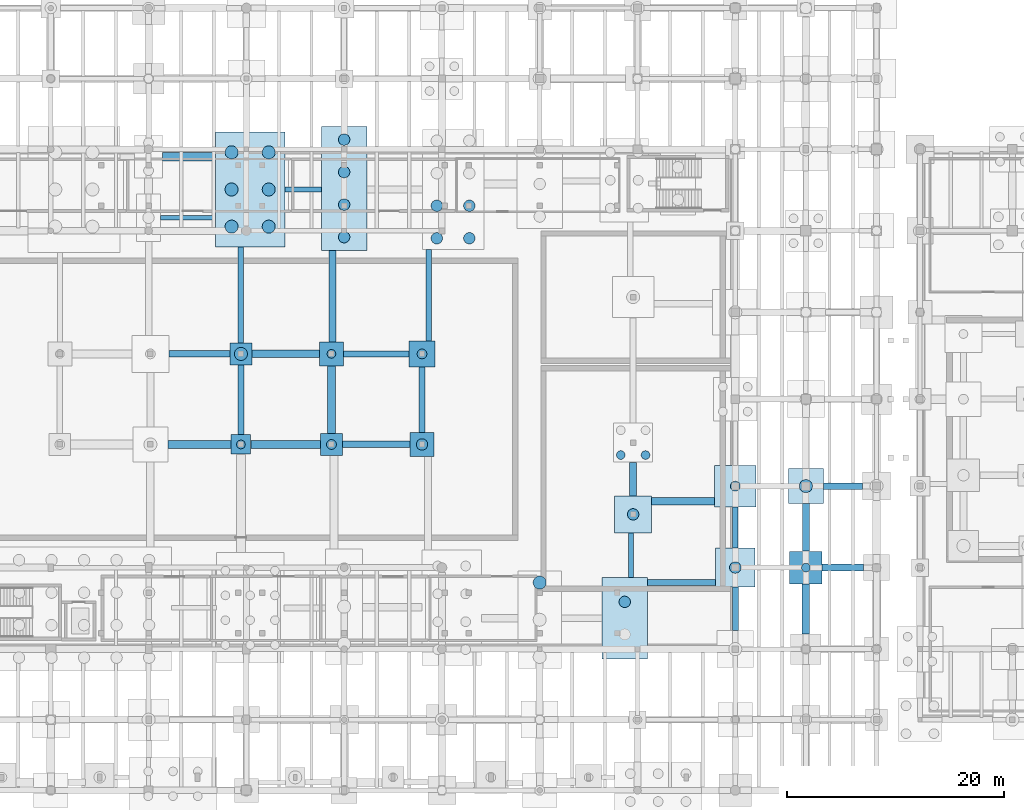
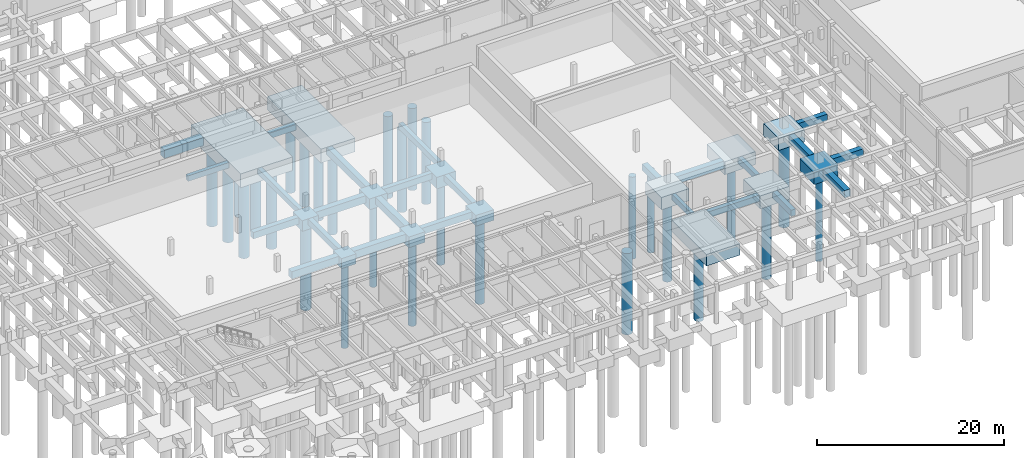
# One storey, part 5 of 36: 39 footings, 29 piles.
"""IFC4 building model written with IfcOpenShell, lengths in metres."""

from ifc_helpers import new_model, si_unit, direction, frame, origin, origin_2d, place, context, subcontext, project, spatial, polyline, circle, outline, extrude, material, material_profile, profile_set, type_object, element, save


model = new_model("IFC4")

# Units and contexts
model_context = context("Model", 3, precision=1e-05, world=origin(), true_north=direction((0.0, 1.0)))
body_context = subcontext(model_context, "Body", "Model", "MODEL_VIEW")
ifc_project = project(units=[si_unit("LENGTHUNIT", "METRE"), si_unit("AREAUNIT", "SQUARE_METRE"), si_unit("VOLUMEUNIT", "CUBIC_METRE"), si_unit("PLANEANGLEUNIT", "RADIAN"), si_unit("MASSUNIT", "GRAM", prefix="KILO"), si_unit("THERMODYNAMICTEMPERATUREUNIT", "KELVIN"), si_unit("POWERUNIT", "WATT")], contexts=[model_context])

# Site, building, storey
site_placement = place(None, origin())
site = spatial("IfcSite", under=ifc_project, at=site_placement, CompositionType="ELEMENT")
building_placement = place(site_placement, origin())
building = spatial("IfcBuilding", under=site, at=building_placement, Name="Tepalcoro Natatorium and Aquatics Centre", CompositionType="ELEMENT")
storey_placement = place(building_placement, frame((0.0, 0.0, -5.199951171875)))
storey = spatial("IfcBuildingStorey", under=building, at=storey_placement, Name="B1", CompositionType="ELEMENT", Elevation=-5.199951171875)

# Footings
ifc_material = material(Name="Concrete C40/50 (fc 40 MPa)", Category="concrete")
footing_type_1 = type_object("IfcFootingType", Name="FB_450x700", PredefinedType="FOOTING_BEAM", material=ifc_material)
footing_1_placement = place(storey_placement, frame((0.0, 0.0, -1.199951171875)))
element("IfcFooting", 1, at=footing_1_placement, inside=storey, type_object=footing_type_1, Name="V1 B1 Foundation Tie Beam X", PredefinedType="FOOTING_BEAM", context=body_context, shape_type="SweptSolid", body=[
    extrude(outline(polyline([(72.10498046875, 52.47509765625), (77.14501953125, 52.47509765625), (77.14501953125, 52.925048828125), (72.10498046875, 52.925048828125), (72.10498046875, 52.47509765625)])), origin(), (0.0, 0.0, 1.0), 0.699951171875),
])
footing_2_placement = place(storey_placement, frame((0.0, 0.0, -1.199951171875)))
element("IfcFooting", 2, at=footing_2_placement, inside=storey, type_object=footing_type_1, Name="V1 B1 Foundation Tie Beam Y", PredefinedType="FOOTING_BEAM", context=body_context, shape_type="SweptSolid", body=[
    extrude(outline(polyline([(115.625, 19.60498046875), (115.625, 23.695068359375), (115.175048828125, 23.695068359375), (115.175048828125, 19.60498046875), (115.625, 19.60498046875)])), origin(), (0.0, 0.0, 1.0), 0.699951171875),
])
footing_type_2 = type_object("IfcFootingType", Name="FB_500x750", PredefinedType="FOOTING_BEAM", material=ifc_material)
footing_3_placement = place(storey_placement, frame((0.0, 0.0, -1.25)))
element("IfcFooting", 3, at=footing_3_placement, inside=storey, type_object=footing_type_2, Name="V1 B1 Foundation Tie Beam X", PredefinedType="FOOTING_BEAM", context=body_context, shape_type="SweptSolid", body=[
    extrude(outline(polyline([(83.554931640625, 55.050048828125), (86.89501953125, 55.050048828125), (86.89501953125, 55.550048828125), (83.554931640625, 55.550048828125), (83.554931640625, 55.050048828125)])), origin(), (0.0, 0.0, 1.0), 0.75),
])
footing_4_placement = place(storey_placement, frame((0.0, 0.0, -1.25)))
element("IfcFooting", 4, at=footing_4_placement, inside=storey, type_object=footing_type_2, Name="V1 B1 Foundation Tie Beam Y", PredefinedType="FOOTING_BEAM", context=body_context, shape_type="SweptSolid", body=[
    extrude(outline(polyline([(79.75, 41.172119140625), (79.75, 49.9951171875), (79.25, 49.9951171875), (79.25, 41.172119140625), (79.75, 41.172119140625)])), origin(), (0.0, 0.0, 1.0), 0.75),
])
footing_5_placement = place(storey_placement, frame((0.0, 0.0, -1.25)))
element("IfcFooting", 5, at=footing_5_placement, inside=storey, type_object=footing_type_2, Name="V1 B1 Foundation Tie Beam Y", PredefinedType="FOOTING_BEAM", context=body_context, shape_type="SweptSolid", body=[
    extrude(outline(polyline([(97.033447265625, 41.3720703125), (97.033447265625, 49.794921875), (96.533447265625, 49.794921875), (96.533447265625, 41.3720703125), (97.033447265625, 41.3720703125)])), origin(), (0.0, 0.0, 1.0), 0.75),
])
footing_6_placement = place(storey_placement, frame((0.0, 0.0, -1.25)))
element("IfcFooting", 6, at=footing_6_placement, inside=storey, type_object=footing_type_2, Name="V1 B1 Foundation Tie Beam Y", PredefinedType="FOOTING_BEAM", context=body_context, shape_type="SweptSolid", body=[
    extrude(outline(polyline([(125.25, 22.304931640625), (125.25, 26.094970703125), (124.75, 26.094970703125), (124.75, 22.304931640625), (125.25, 22.304931640625)])), origin(), (0.0, 0.0, 1.0), 0.75),
])
footing_type_3 = type_object("IfcFootingType", Name="FB_550x800", PredefinedType="FOOTING_BEAM", material=ifc_material)
footing_7_placement = place(storey_placement, frame((0.0, 0.0, -1.300048828125)))
element("IfcFooting", 7, at=footing_7_placement, inside=storey, type_object=footing_type_3, Name="V1 B1 Foundation Tie Beam X", PredefinedType="FOOTING_BEAM", context=body_context, shape_type="SweptSolid", body=[
    extrude(outline(polyline([(88.93798828125, 39.89208984375), (94.9619140625, 39.89208984375), (94.9619140625, 40.44189453125), (88.93798828125, 40.44189453125), (88.93798828125, 39.89208984375)])), origin(), (0.0, 0.0, 1.0), 0.800048828125),
])
footing_8_placement = place(storey_placement, frame((0.0, 0.0, -1.300048828125)))
element("IfcFooting", 8, at=footing_8_placement, inside=storey, type_object=footing_type_3, Name="V1 B1 Foundation Tie Beam X", PredefinedType="FOOTING_BEAM", context=body_context, shape_type="SweptSolid", body=[
    extrude(outline(polyline([(116.905029296875, 18.875), (123.195068359375, 18.875), (123.195068359375, 19.425048828125), (116.905029296875, 19.425048828125), (116.905029296875, 18.875)])), origin(), (0.0, 0.0, 1.0), 0.800048828125),
])
footing_9_placement = place(storey_placement, frame((0.0, 0.0, -1.300048828125)))
element("IfcFooting", 9, at=footing_9_placement, inside=storey, type_object=footing_type_3, Name="V1 B1 Foundation Tie Beam Y", PredefinedType="FOOTING_BEAM", context=body_context, shape_type="SweptSolid", body=[
    extrude(outline(polyline([(79.77490234375, 32.738037109375), (79.77490234375, 39.162109375), (79.22509765625, 39.162109375), (79.22509765625, 32.738037109375), (79.77490234375, 32.738037109375)])), origin(), (0.0, 0.0, 1.0), 0.800048828125),
])
footing_10_placement = place(storey_placement, frame((0.0, 0.0, -1.300048828125)))
element("IfcFooting", 10, at=footing_10_placement, inside=storey, type_object=footing_type_3, Name="V1 B1 Foundation Tie Beam Y", PredefinedType="FOOTING_BEAM", context=body_context, shape_type="SweptSolid", body=[
    extrude(outline(polyline([(96.44189453125, 32.93798828125), (96.44189453125, 38.9619140625), (95.89208984375, 38.9619140625), (95.89208984375, 32.93798828125), (96.44189453125, 32.93798828125)])), origin(), (0.0, 0.0, 1.0), 0.800048828125),
])
footing_11_placement = place(storey_placement, frame((0.0, 0.0, -1.300048828125)))
element("IfcFooting", 11, at=footing_11_placement, inside=storey, type_object=footing_type_3, Name="V1 B1 Foundation Tie Beam Y", PredefinedType="FOOTING_BEAM", context=body_context, shape_type="SweptSolid", body=[
    extrude(outline(polyline([(125.27490234375, 14.705078125), (125.27490234375, 18.695068359375), (124.72509765625, 18.695068359375), (124.72509765625, 14.705078125), (125.27490234375, 14.705078125)])), origin(), (0.0, 0.0, 1.0), 0.800048828125),
])
footing_type_4 = type_object("IfcFootingType", Name="FB_600x850", PredefinedType="FOOTING_BEAM", material=ifc_material)
footing_12_placement = place(storey_placement, frame((0.0, 0.0, -1.35009765625)))
element("IfcFooting", 12, at=footing_12_placement, inside=storey, type_object=footing_type_4, Name="V1 B1 Foundation Tie Beam X", PredefinedType="FOOTING_BEAM", context=body_context, shape_type="SweptSolid", body=[
    extrude(outline(polyline([(72.8720703125, 39.866943359375), (78.4951171875, 39.866943359375), (78.4951171875, 40.467041015625), (72.8720703125, 40.467041015625), (72.8720703125, 39.866943359375)])), origin(), (0.0, 0.0, 1.0), 0.85009765625),
])
footing_13_placement = place(storey_placement, frame((0.0, 0.0, -1.35009765625)))
element("IfcFooting", 13, at=footing_13_placement, inside=storey, type_object=footing_type_4, Name="V1 B1 Foundation Tie Beam X", PredefinedType="FOOTING_BEAM", context=body_context, shape_type="SweptSolid", body=[
    extrude(outline(polyline([(88.837890625, 31.532958984375), (95.06201171875, 31.532958984375), (95.06201171875, 32.133056640625), (88.837890625, 32.133056640625), (88.837890625, 31.532958984375)])), origin(), (0.0, 0.0, 1.0), 0.85009765625),
])
footing_14_placement = place(storey_placement, frame((0.0, 0.0, -0.85009765625)))
element("IfcFooting", 14, at=footing_14_placement, inside=storey, type_object=footing_type_4, Name="V1 B1 Foundation Tie Beam X", PredefinedType="FOOTING_BEAM", context=body_context, shape_type="SweptSolid", body=[
    extrude(outline(polyline([(133.10498046875, 27.699951171875), (136.695068359375, 27.699951171875), (136.695068359375, 28.300048828125), (133.10498046875, 28.300048828125), (133.10498046875, 27.699951171875)])), origin(), (0.0, 0.0, 1.0), 0.85009765625),
])
footing_type_5 = type_object("IfcFootingType", Name="FB_650x900", PredefinedType="FOOTING_BEAM", material=ifc_material)
footing_15_placement = place(storey_placement, frame((0.0, 0.0, -0.900146484375)))
element("IfcFooting", 15, at=footing_15_placement, inside=storey, type_object=footing_type_5, Name="V1 B1 Foundation Tie Beam X", PredefinedType="FOOTING_BEAM", context=body_context, shape_type="SweptSolid", body=[
    extrude(outline(polyline([(133.0048828125, 20.175048828125), (136.794921875, 20.175048828125), (136.794921875, 20.824951171875), (133.0048828125, 20.824951171875), (133.0048828125, 20.175048828125)])), origin(), (0.0, 0.0, 1.0), 0.900146484375),
])
footing_16_placement = place(storey_placement, frame((0.0, 0.0, -1.400146484375)))
element("IfcFooting", 16, at=footing_16_placement, inside=storey, type_object=footing_type_5, Name="V1 B1 Foundation Tie Beam Y", PredefinedType="FOOTING_BEAM", context=body_context, shape_type="SweptSolid", body=[
    extrude(outline(polyline([(88.241455078125, 41.27197265625), (88.241455078125, 49.695068359375), (87.591552734375, 49.695068359375), (87.591552734375, 41.27197265625), (88.241455078125, 41.27197265625)])), origin(), (0.0, 0.0, 1.0), 0.900146484375),
])
footing_17_placement = place(storey_placement, frame((0.0, 0.0, -1.400146484375)))
element("IfcFooting", 17, at=footing_17_placement, inside=storey, type_object=footing_type_5, Name="V1 B1 Foundation Tie Beam Y", PredefinedType="FOOTING_BEAM", context=body_context, shape_type="SweptSolid", body=[
    extrude(outline(polyline([(115.925048828125, 27.10498046875), (115.925048828125, 30.195068359375), (115.27490234375, 30.195068359375), (115.27490234375, 27.10498046875), (115.925048828125, 27.10498046875)])), origin(), (0.0, 0.0, 1.0), 0.900146484375),
])
footing_18_placement = place(storey_placement, frame((0.0, 0.0, -0.900146484375)))
element("IfcFooting", 18, at=footing_18_placement, inside=storey, type_object=footing_type_5, Name="V1 B1 Foundation Tie Beam Y", PredefinedType="FOOTING_BEAM", context=body_context, shape_type="SweptSolid", body=[
    extrude(outline(polyline([(131.824951171875, 22.0048828125), (131.824951171875, 26.39501953125), (131.175048828125, 26.39501953125), (131.175048828125, 22.0048828125), (131.824951171875, 22.0048828125)])), origin(), (0.0, 0.0, 1.0), 0.900146484375),
])
footing_type_6 = type_object("IfcFootingType", Name="FB_700x950", PredefinedType="FOOTING_BEAM", material=ifc_material)
footing_19_placement = place(storey_placement, frame((0.0, 0.0, -1.449951171875)))
element("IfcFooting", 19, at=footing_19_placement, inside=storey, type_object=footing_type_6, Name="V1 B1 Foundation Tie Beam X", PredefinedType="FOOTING_BEAM", context=body_context, shape_type="SweptSolid", body=[
    extrude(outline(polyline([(72.77197265625, 31.48291015625), (78.594970703125, 31.48291015625), (78.594970703125, 32.18310546875), (72.77197265625, 32.18310546875), (72.77197265625, 31.48291015625)])), origin(), (0.0, 0.0, 1.0), 0.949951171875),
])
footing_20_placement = place(storey_placement, frame((0.0, 0.0, -1.449951171875)))
element("IfcFooting", 20, at=footing_20_placement, inside=storey, type_object=footing_type_6, Name="V1 B1 Foundation Tie Beam X", PredefinedType="FOOTING_BEAM", context=body_context, shape_type="SweptSolid", body=[
    extrude(outline(polyline([(80.5048828125, 39.81689453125), (86.72802734375, 39.81689453125), (86.72802734375, 40.51708984375), (80.5048828125, 40.51708984375), (80.5048828125, 39.81689453125)])), origin(), (0.0, 0.0, 1.0), 0.949951171875),
])
footing_21_placement = place(storey_placement, frame((0.0, 0.0, -1.449951171875)))
element("IfcFooting", 21, at=footing_21_placement, inside=storey, type_object=footing_type_6, Name="V1 B1 Foundation Tie Beam X", PredefinedType="FOOTING_BEAM", context=body_context, shape_type="SweptSolid", body=[
    extrude(outline(polyline([(117.304931640625, 26.25), (123.094970703125, 26.25), (123.094970703125, 26.949951171875), (117.304931640625, 26.949951171875), (117.304931640625, 26.25)])), origin(), (0.0, 0.0, 1.0), 0.949951171875),
])
footing_22_placement = place(storey_placement, frame((0.0, 0.0, -1.449951171875)))
element("IfcFooting", 22, at=footing_22_placement, inside=storey, type_object=footing_type_6, Name="V1 B1 Foundation Tie Beam Y", PredefinedType="FOOTING_BEAM", context=body_context, shape_type="SweptSolid", body=[
    extrude(outline(polyline([(88.18310546875, 32.837890625), (88.18310546875, 39.06201171875), (87.48291015625, 39.06201171875), (87.48291015625, 32.837890625), (88.18310546875, 32.837890625)])), origin(), (0.0, 0.0, 1.0), 0.949951171875),
])
footing_23_placement = place(storey_placement, frame((0.0, 0.0, -0.949951171875)))
element("IfcFooting", 23, at=footing_23_placement, inside=storey, type_object=footing_type_6, Name="V1 B1 Foundation Tie Beam Y", PredefinedType="FOOTING_BEAM", context=body_context, shape_type="SweptSolid", body=[
    extrude(outline(polyline([(131.85009765625, 14.405029296875), (131.85009765625, 18.9951171875), (131.14990234375, 18.9951171875), (131.14990234375, 14.405029296875), (131.85009765625, 14.405029296875)])), origin(), (0.0, 0.0, 1.0), 0.949951171875),
])
footing_type_7 = type_object("IfcFootingType", Name="FB_750x1000", PredefinedType="FOOTING_BEAM", material=ifc_material)
footing_24_placement = place(storey_placement, frame((0.0, 0.0, -1.5)))
element("IfcFooting", 24, at=footing_24_placement, inside=storey, type_object=footing_type_7, Name="V1 B1 Foundation Tie Beam X", PredefinedType="FOOTING_BEAM", context=body_context, shape_type="SweptSolid", body=[
    extrude(outline(polyline([(80.405029296875, 31.4580078125), (86.827880859375, 31.4580078125), (86.827880859375, 32.2080078125), (80.405029296875, 32.2080078125), (80.405029296875, 31.4580078125)])), origin(), (0.0, 0.0, 1.0), 1.0),
])
footing_type_8 = type_object("IfcFootingType", Name="FB_800x1100", PredefinedType="FOOTING_BEAM", material=ifc_material)
footing_25_placement = place(storey_placement, frame((0.0, 0.0, -1.60009765625)))
element("IfcFooting", 25, at=footing_25_placement, inside=storey, type_object=footing_type_8, Name="V1 B1 Foundation Tie Beam X", PredefinedType="FOOTING_BEAM", context=body_context, shape_type="SweptSolid", body=[
    extrude(outline(polyline([(72.304931640625, 57.925048828125), (77.14501953125, 57.925048828125), (77.14501953125, 58.72509765625), (72.304931640625, 58.72509765625), (72.304931640625, 57.925048828125)])), origin(), (0.0, 0.0, 1.0), 1.10009765625),
])
footing_type_9 = type_object("IfcFootingType", Name="PC_1800x1800x1300", PredefinedType="PILE_CAP", material=ifc_material)
footing_26_placement = place(storey_placement, frame((0.0, 0.0, -1.800048828125)))
element("IfcFooting", 26, at=footing_26_placement, inside=storey, type_object=footing_type_9, Name="V1 Reinforced Concrete Pile Cap 57", PredefinedType="PILE_CAP", context=body_context, shape_type="SweptSolid", body=[
    extrude(outline(polyline([(78.60009765625, 30.93310546875), (80.39990234375, 30.93310546875), (80.39990234375, 32.73291015625), (78.60009765625, 32.73291015625), (78.60009765625, 30.93310546875)])), origin(), (0.0, 0.0, 1.0), 1.300048828125),
])
footing_type_10 = type_object("IfcFootingType", Name="PC_2000x2000x1400", PredefinedType="PILE_CAP", material=ifc_material)
footing_27_placement = place(storey_placement, frame((0.0, 0.0, -1.900146484375)))
element("IfcFooting", 27, at=footing_27_placement, inside=storey, type_object=footing_type_10, Name="V1 Reinforced Concrete Pile Cap 56", PredefinedType="PILE_CAP", context=body_context, shape_type="SweptSolid", body=[
    extrude(outline(polyline([(78.5, 39.1669921875), (80.5, 39.1669921875), (80.5, 41.1669921875), (78.5, 41.1669921875), (78.5, 39.1669921875)])), origin(), (0.0, 0.0, 1.0), 1.400146484375),
])
footing_28_placement = place(storey_placement, frame((0.0, 0.0, -1.900146484375)))
element("IfcFooting", 28, at=footing_28_placement, inside=storey, type_object=footing_type_10, Name="V1 Reinforced Concrete Pile Cap 62", PredefinedType="PILE_CAP", context=body_context, shape_type="SweptSolid", body=[
    extrude(outline(polyline([(86.8330078125, 30.8330078125), (88.8330078125, 30.8330078125), (88.8330078125, 32.8330078125), (86.8330078125, 32.8330078125), (86.8330078125, 30.8330078125)])), origin(), (0.0, 0.0, 1.0), 1.400146484375),
])
footing_type_11 = type_object("IfcFootingType", Name="PC_2200x2200x1400", PredefinedType="PILE_CAP", material=ifc_material)
footing_29_placement = place(storey_placement, frame((0.0, 0.0, -1.900146484375)))
element("IfcFooting", 29, at=footing_29_placement, inside=storey, type_object=footing_type_11, Name="V1 Reinforced Concrete Pile Cap 61", PredefinedType="PILE_CAP", context=body_context, shape_type="SweptSolid", body=[
    extrude(outline(polyline([(86.73291015625, 39.06689453125), (88.93310546875, 39.06689453125), (88.93310546875, 41.26708984375), (86.73291015625, 41.26708984375), (86.73291015625, 39.06689453125)])), origin(), (0.0, 0.0, 1.0), 1.400146484375),
])
footing_30_placement = place(storey_placement, frame((0.0, 0.0, -1.900146484375)))
element("IfcFooting", 30, at=footing_30_placement, inside=storey, type_object=footing_type_11, Name="V1 Reinforced Concrete Pile Cap 71", PredefinedType="PILE_CAP", context=body_context, shape_type="SweptSolid", body=[
    extrude(outline(polyline([(95.06689453125, 30.73291015625), (97.26708984375, 30.73291015625), (97.26708984375, 32.93310546875), (95.06689453125, 32.93310546875), (95.06689453125, 30.73291015625)])), origin(), (0.0, 0.0, 1.0), 1.400146484375),
])
footing_type_12 = type_object("IfcFootingType", Name="PC_2400x2400x1500", PredefinedType="PILE_CAP", material=ifc_material)
footing_31_placement = place(storey_placement, frame((0.0, 0.0, -2.0)))
element("IfcFooting", 31, at=footing_31_placement, inside=storey, type_object=footing_type_12, Name="V1 Reinforced Concrete Pile Cap 70", PredefinedType="PILE_CAP", context=body_context, shape_type="SweptSolid", body=[
    extrude(outline(polyline([(94.967041015625, 38.967041015625), (97.366943359375, 38.967041015625), (97.366943359375, 41.366943359375), (94.967041015625, 41.366943359375), (94.967041015625, 38.967041015625)])), origin(), (0.0, 0.0, 1.0), 1.5),
])
footing_type_13 = type_object("IfcFootingType", Name="PC_2600x2600x1500", PredefinedType="PILE_CAP", material=ifc_material)
footing_32_placement = place(storey_placement, frame((0.0, 0.0, -2.0)))
element("IfcFooting", 32, at=footing_32_placement, inside=storey, type_object=footing_type_13, Name="V1 Reinforced Concrete Pile Cap 87", PredefinedType="PILE_CAP", context=body_context, shape_type="SweptSolid", body=[
    extrude(outline(polyline([(112.75, 12.10009765625), (116.89990234375, 12.10009765625), (116.89990234375, 19.60009765625), (112.75, 19.60009765625), (112.75, 12.10009765625)])), origin(), (0.0, 0.0, 1.0), 1.5),
])
footing_type_14 = type_object("IfcFootingType", Name="PC_3000x3000x1600", PredefinedType="PILE_CAP", material=ifc_material)
footing_33_placement = place(storey_placement, frame((0.0, 0.0, -1.60009765625)))
element("IfcFooting", 33, at=footing_33_placement, inside=storey, type_object=footing_type_14, Name="V1 Reinforced Concrete Pile Cap 113", PredefinedType="PILE_CAP", context=body_context, shape_type="SweptSolid", body=[
    extrude(outline(polyline([(130.0, 19.0), (133.0, 19.0), (133.0, 22.0), (130.0, 22.0), (130.0, 19.0)])), origin(), (0.0, 0.0, 1.0), 1.60009765625),
])
footing_type_15 = type_object("IfcFootingType", Name="PC_3200x3200x1600", PredefinedType="PILE_CAP", material=ifc_material)
footing_34_placement = place(storey_placement, frame((0.0, 0.0, -1.60009765625)))
element("IfcFooting", 34, at=footing_34_placement, inside=storey, type_object=footing_type_15, Name="V1 Reinforced Concrete Pile Cap 112", PredefinedType="PILE_CAP", context=body_context, shape_type="SweptSolid", body=[
    extrude(outline(polyline([(129.89990234375, 26.39990234375), (133.10009765625, 26.39990234375), (133.10009765625, 29.60009765625), (129.89990234375, 29.60009765625), (129.89990234375, 26.39990234375)])), origin(), (0.0, 0.0, 1.0), 1.60009765625),
])
footing_type_16 = type_object("IfcFootingType", Name="PC_3400x3400x1600", PredefinedType="PILE_CAP", material=ifc_material)
footing_35_placement = place(storey_placement, frame((0.0, 0.0, -2.10009765625)))
element("IfcFooting", 35, at=footing_35_placement, inside=storey, type_object=footing_type_16, Name="V1 Reinforced Concrete Pile Cap 91", PredefinedType="PILE_CAP", context=body_context, shape_type="SweptSolid", body=[
    extrude(outline(polyline([(113.89990234375, 23.699951171875), (117.300048828125, 23.699951171875), (117.300048828125, 27.10009765625), (113.89990234375, 27.10009765625), (113.89990234375, 23.699951171875)])), origin(), (0.0, 0.0, 1.0), 1.60009765625),
])
footing_type_17 = type_object("IfcFootingType", Name="PC_3600x3600x1700", PredefinedType="PILE_CAP", material=ifc_material)
footing_36_placement = place(storey_placement, frame((0.0, 0.0, -2.199951171875)))
element("IfcFooting", 36, at=footing_36_placement, inside=storey, type_object=footing_type_17, Name="V1 Reinforced Concrete Pile Cap 99", PredefinedType="PILE_CAP", context=body_context, shape_type="SweptSolid", body=[
    extrude(outline(polyline([(123.199951171875, 18.699951171875), (126.800048828125, 18.699951171875), (126.800048828125, 22.300048828125), (123.199951171875, 22.300048828125), (123.199951171875, 18.699951171875)])), origin(), (0.0, 0.0, 1.0), 1.699951171875),
])
footing_type_18 = type_object("IfcFootingType", Name="PC_3800x3800x1700", PredefinedType="PILE_CAP", material=ifc_material)
footing_37_placement = place(storey_placement, frame((0.0, 0.0, -2.199951171875)))
element("IfcFooting", 37, at=footing_37_placement, inside=storey, type_object=footing_type_18, Name="V1 Reinforced Concrete Pile Cap 98", PredefinedType="PILE_CAP", context=body_context, shape_type="SweptSolid", body=[
    extrude(outline(polyline([(123.10009765625, 26.10009765625), (126.89990234375, 26.10009765625), (126.89990234375, 29.89990234375), (123.10009765625, 29.89990234375), (123.10009765625, 26.10009765625)])), origin(), (0.0, 0.0, 1.0), 1.699951171875),
])
footing_type_19 = type_object("IfcFootingType", Name="PC_4000x4000x1800", PredefinedType="PILE_CAP", material=ifc_material)
footing_38_placement = place(storey_placement, frame((0.0, 0.0, -2.300048828125)))
element("IfcFooting", 38, at=footing_38_placement, inside=storey, type_object=footing_type_19, Name="V1 Reinforced Concrete Pile Cap 63", PredefinedType="PILE_CAP", context=body_context, shape_type="SweptSolid", body=[
    extrude(outline(polyline([(86.89990234375, 49.699951171875), (91.10009765625, 49.699951171875), (91.10009765625, 61.10009765625), (86.89990234375, 61.10009765625), (86.89990234375, 49.699951171875)])), origin(), (0.0, 0.0, 1.0), 1.800048828125),
])
footing_type_20 = type_object("IfcFootingType", Name="PC_4200x4200x1800", PredefinedType="PILE_CAP", material=ifc_material)
footing_39_placement = place(storey_placement, frame((0.0, 0.0, -2.300048828125)))
element("IfcFooting", 39, at=footing_39_placement, inside=storey, type_object=footing_type_20, Name="V1 Reinforced Concrete Pile Cap 52", PredefinedType="PILE_CAP", context=body_context, shape_type="SweptSolid", body=[
    extrude(outline(polyline([(77.14990234375, 50.0), (83.550048828125, 50.0), (83.550048828125, 60.60009765625), (77.14990234375, 60.60009765625), (77.14990234375, 50.0)])), origin(), (0.0, 0.0, 1.0), 1.800048828125),
])

# Piles
ifc_material_profile_1 = material_profile(ifc_material, circle(Radius=0.52490234375, at=origin_2d()), Name="PILE_D1050")
ifc_profile_set_1 = profile_set([ifc_material_profile_1], Name="Concrete C40/50 (fc 40 MPa)")
pile_type_1 = type_object("IfcPileType", Name="PILE_D1050", PredefinedType="BORED", material=ifc_profile_set_1)
for number, where, z_axis, x_axis, name in (
    (40, (89.0, 50.911376953125, -2.199951171875), (0.0, 0.0, -1.0), (1.0, 0.0, 0.0), "Bored Pile PILE_D1050 under PC_V1_0062"),
    (41, (89.0, 53.90380859375, -2.199951171875), (0.0, 0.0, -1.0), (1.0, 0.0, 0.0), "Bored Pile PILE_D1050 under PC_V1_0062"),
    (42, (89.0, 56.896240234375, -2.199951171875), (0.0, 0.0, -1.0), (1.0, 0.0, 0.0), "Bored Pile PILE_D1050 under PC_V1_0062"),
    (43, (89.0, 59.888916015625, -2.199951171875), (0.0, 0.0, -1.0), (1.0, 0.0, 0.0), "Bored Pile PILE_D1050 under PC_V1_0062"),
):
    element("IfcPile", number, at=place(storey_placement, frame(where, z_axis=z_axis, x_axis=x_axis)), inside=storey, type_object=pile_type_1, Name=name, PredefinedType="BORED", context=body_context, shape_type="SweptSolid", body=[
        extrude(circle(Radius=0.52490234375, at=origin_2d()), origin(), (0.0, 0.0, 1.0), 10.60009765625),
    ])
pile_1_placement = place(storey_placement, frame((96.1669921875, 31.8330078125, -1.800048828125), z_axis=(0.0, 0.0, -1.0), x_axis=(1.0, 0.0, 0.0)))
element("IfcPile", 44, at=pile_1_placement, inside=storey, type_object=pile_type_1, Name="Bored Pile PILE_D1050 under PC_V1_0070", PredefinedType="BORED", context=body_context, shape_type="SweptSolid", body=[
    extrude(circle(Radius=0.52490234375, at=origin_2d()), origin(), (0.0, 0.0, 1.0), 11.0),
])
for number, where, z_axis, x_axis, name in (
    (45, (97.52880859375, 50.811279296875, -2.10009765625), (0.0, 0.0, -1.0), (1.0, 0.0, 0.0), "Bored Pile PILE_D1050 under PC_V1_0074"),
    (46, (97.52880859375, 53.8037109375, -2.10009765625), (0.0, 0.0, -1.0), (1.0, 0.0, 0.0), "Bored Pile PILE_D1050 under PC_V1_0074"),
    (47, (100.521240234375, 50.811279296875, -2.10009765625), (0.0, 0.0, -1.0), (1.0, 0.0, 0.0), "Bored Pile PILE_D1050 under PC_V1_0074"),
    (48, (100.521240234375, 53.8037109375, -2.10009765625), (0.0, 0.0, -1.0), (1.0, 0.0, 0.0), "Bored Pile PILE_D1050 under PC_V1_0074"),
):
    element("IfcPile", number, at=place(storey_placement, frame(where, z_axis=z_axis, x_axis=x_axis)), inside=storey, type_object=pile_type_1, Name=name, PredefinedType="BORED", context=body_context, shape_type="SweptSolid", body=[
        extrude(circle(Radius=0.52490234375, at=origin_2d()), origin(), (0.0, 0.0, 1.0), 10.699951171875),
    ])
pile_2_placement = place(storey_placement, frame((114.824951171875, 17.34619140625, -1.900146484375), z_axis=(0.0, 0.0, -1.0), x_axis=(1.0, 0.0, 0.0)))
element("IfcPile", 49, at=pile_2_placement, inside=storey, type_object=pile_type_1, Name="Bored Pile PILE_D1050 under PC_V1_0086", PredefinedType="BORED", context=body_context, shape_type="SweptSolid", body=[
    extrude(circle(Radius=0.52490234375, at=origin_2d()), origin(), (0.0, 0.0, 1.0), 10.89990234375),
])
pile_3_placement = place(storey_placement, frame((115.60009765625, 25.39990234375, -2.0), z_axis=(0.0, 0.0, -1.0), x_axis=(1.0, 0.0, 0.0)))
element("IfcPile", 50, at=pile_3_placement, inside=storey, type_object=pile_type_1, Name="Bored Pile PILE_D1050 under PC_V1_0090", PredefinedType="BORED", context=body_context, shape_type="SweptSolid", body=[
    extrude(circle(Radius=0.52490234375, at=origin_2d()), origin(), (0.0, 0.0, 1.0), 10.800048828125),
])
pile_4_placement = place(storey_placement, frame((125.0, 20.5, -2.10009765625), z_axis=(0.0, 0.0, -1.0), x_axis=(1.0, 0.0, 0.0)))
element("IfcPile", 51, at=pile_4_placement, inside=storey, type_object=pile_type_1, Name="Bored Pile PILE_D1050 under PC_V1_0098", PredefinedType="BORED", context=body_context, shape_type="SweptSolid", body=[
    extrude(circle(Radius=0.52490234375, at=origin_2d()), origin(), (0.0, 0.0, 1.0), 10.699951171875),
])
ifc_material_profile_2 = material_profile(ifc_material, circle(Radius=0.60009765625, at=origin_2d()), Name="PILE_D1200")
ifc_profile_set_2 = profile_set([ifc_material_profile_2], Name="Concrete C40/50 (fc 40 MPa)")
pile_type_2 = type_object("IfcPileType", Name="PILE_D1200", PredefinedType="BORED", material=ifc_profile_set_2)
for number, where, z_axis, x_axis, name in (
    (52, (78.639892578125, 51.8798828125, -2.199951171875), (0.0, 0.0, -1.0), (1.0, 0.0, 0.0), "Bored Pile PILE_D1200 under PC_V1_0051"),
    (53, (78.639892578125, 55.300048828125, -2.199951171875), (0.0, 0.0, -1.0), (1.0, 0.0, 0.0), "Bored Pile PILE_D1200 under PC_V1_0051"),
    (54, (78.639892578125, 58.719970703125, -2.199951171875), (0.0, 0.0, -1.0), (1.0, 0.0, 0.0), "Bored Pile PILE_D1200 under PC_V1_0051"),
    (55, (82.06005859375, 51.8798828125, -2.199951171875), (0.0, 0.0, -1.0), (1.0, 0.0, 0.0), "Bored Pile PILE_D1200 under PC_V1_0051"),
    (56, (82.06005859375, 55.300048828125, -2.199951171875), (0.0, 0.0, -1.0), (1.0, 0.0, 0.0), "Bored Pile PILE_D1200 under PC_V1_0051"),
    (57, (82.06005859375, 58.719970703125, -2.199951171875), (0.0, 0.0, -1.0), (1.0, 0.0, 0.0), "Bored Pile PILE_D1200 under PC_V1_0051"),
):
    element("IfcPile", number, at=place(storey_placement, frame(where, z_axis=z_axis, x_axis=x_axis)), inside=storey, type_object=pile_type_2, Name=name, PredefinedType="BORED", context=body_context, shape_type="SweptSolid", body=[
        extrude(circle(Radius=0.60009765625, at=origin_2d()), origin(), (0.0, 0.0, 1.0), 10.60009765625),
    ])
pile_5_placement = place(storey_placement, frame((79.5, 40.1669921875, -1.800048828125), z_axis=(0.0, 0.0, -1.0), x_axis=(1.0, 0.0, 0.0)))
element("IfcPile", 58, at=pile_5_placement, inside=storey, type_object=pile_type_2, Name="Bored Pile PILE_D1200 under PC_V1_0055", PredefinedType="BORED", context=body_context, shape_type="SweptSolid", body=[
    extrude(circle(Radius=0.60009765625, at=origin_2d()), origin(), (0.0, 0.0, 1.0), 11.0),
])
pile_6_placement = place(storey_placement, frame((107.0, 19.1201171875, -2.199951171875), z_axis=(0.0, 0.0, -1.0), x_axis=(1.0, 0.0, 0.0)))
element("IfcPile", 59, at=pile_6_placement, inside=storey, type_object=pile_type_2, Name="Bored Pile PILE_D1200 under PC_V1_0079", PredefinedType="BORED", context=body_context, shape_type="SweptSolid", body=[
    extrude(circle(Radius=0.60009765625, at=origin_2d()), origin(), (0.0, 0.0, 1.0), 10.60009765625),
])
pile_7_placement = place(storey_placement, frame((131.5, 28.0, -1.5), z_axis=(0.0, 0.0, -1.0), x_axis=(1.0, 0.0, 0.0)))
element("IfcPile", 60, at=pile_7_placement, inside=storey, type_object=pile_type_2, Name="Bored Pile PILE_D1200 under PC_V1_0111", PredefinedType="BORED", context=body_context, shape_type="SweptSolid", body=[
    extrude(circle(Radius=0.60009765625, at=origin_2d()), origin(), (0.0, 0.0, 1.0), 11.300048828125),
])
ifc_material_profile_3 = material_profile(ifc_material, circle(Radius=0.39990234375, at=origin_2d()), Name="PILE_D800")
ifc_profile_set_3 = profile_set([ifc_material_profile_3], Name="Concrete C40/50 (fc 40 MPa)")
pile_type_3 = type_object("IfcPileType", Name="PILE_D800", PredefinedType="BORED", material=ifc_profile_set_3)
pile_8_placement = place(storey_placement, frame((79.5, 31.8330078125, -1.699951171875), z_axis=(0.0, 0.0, -1.0), x_axis=(1.0, 0.0, 0.0)))
element("IfcPile", 61, at=pile_8_placement, inside=storey, type_object=pile_type_3, Name="Bored Pile PILE_D800 under PC_V1_0056", PredefinedType="BORED", context=body_context, shape_type="SweptSolid", body=[
    extrude(circle(Radius=0.39990234375, at=origin_2d()), origin(), (0.0, 0.0, 1.0), 11.10009765625),
])
pile_9_placement = place(storey_placement, frame((87.8330078125, 40.1669921875, -1.800048828125), z_axis=(0.0, 0.0, -1.0), x_axis=(1.0, 0.0, 0.0)))
element("IfcPile", 62, at=pile_9_placement, inside=storey, type_object=pile_type_3, Name="Bored Pile PILE_D800 under PC_V1_0060", PredefinedType="BORED", context=body_context, shape_type="SweptSolid", body=[
    extrude(circle(Radius=0.39990234375, at=origin_2d()), origin(), (0.0, 0.0, 1.0), 11.0),
])
for number, where, z_axis, x_axis, name in (
    (63, (114.4599609375, 30.860107421875, -2.10009765625), (0.0, 0.0, -1.0), (1.0, 0.0, 0.0), "Bored Pile PILE_D800 under PC_V1_0088"),
    (64, (116.739990234375, 30.860107421875, -2.10009765625), (0.0, 0.0, -1.0), (1.0, 0.0, 0.0), "Bored Pile PILE_D800 under PC_V1_0088"),
):
    element("IfcPile", number, at=place(storey_placement, frame(where, z_axis=z_axis, x_axis=x_axis)), inside=storey, type_object=pile_type_3, Name=name, PredefinedType="BORED", context=body_context, shape_type="SweptSolid", body=[
        extrude(circle(Radius=0.39990234375, at=origin_2d()), origin(), (0.0, 0.0, 1.0), 10.699951171875),
    ])
pile_10_placement = place(storey_placement, frame((131.5, 20.5, -1.5), z_axis=(0.0, 0.0, -1.0), x_axis=(1.0, 0.0, 0.0)))
element("IfcPile", 65, at=pile_10_placement, inside=storey, type_object=pile_type_3, Name="Bored Pile PILE_D800 under PC_V1_0112", PredefinedType="BORED", context=body_context, shape_type="SweptSolid", body=[
    extrude(circle(Radius=0.39990234375, at=origin_2d()), origin(), (0.0, 0.0, 1.0), 11.300048828125),
])
ifc_material_profile_4 = material_profile(ifc_material, circle(Radius=0.449951171875, at=origin_2d()), Name="PILE_D900")
ifc_profile_set_4 = profile_set([ifc_material_profile_4], Name="Concrete C40/50 (fc 40 MPa)")
pile_type_4 = type_object("IfcPileType", Name="PILE_D900", PredefinedType="BORED", material=ifc_profile_set_4)
pile_11_placement = place(storey_placement, frame((87.8330078125, 31.8330078125, -1.800048828125), z_axis=(0.0, 0.0, -1.0), x_axis=(1.0, 0.0, 0.0)))
element("IfcPile", 66, at=pile_11_placement, inside=storey, type_object=pile_type_4, Name="Bored Pile PILE_D900 under PC_V1_0061", PredefinedType="BORED", context=body_context, shape_type="SweptSolid", body=[
    extrude(circle(Radius=0.449951171875, at=origin_2d()), origin(), (0.0, 0.0, 1.0), 11.0),
])
pile_12_placement = place(storey_placement, frame((96.1669921875, 40.1669921875, -1.900146484375), z_axis=(0.0, 0.0, -1.0), x_axis=(1.0, 0.0, 0.0)))
element("IfcPile", 67, at=pile_12_placement, inside=storey, type_object=pile_type_4, Name="Bored Pile PILE_D900 under PC_V1_0069", PredefinedType="BORED", context=body_context, shape_type="SweptSolid", body=[
    extrude(circle(Radius=0.449951171875, at=origin_2d()), origin(), (0.0, 0.0, 1.0), 10.89990234375),
])
pile_13_placement = place(storey_placement, frame((125.0, 28.0, -2.10009765625), z_axis=(0.0, 0.0, -1.0), x_axis=(1.0, 0.0, 0.0)))
element("IfcPile", 68, at=pile_13_placement, inside=storey, type_object=pile_type_4, Name="Bored Pile PILE_D900 under PC_V1_0097", PredefinedType="BORED", context=body_context, shape_type="SweptSolid", body=[
    extrude(circle(Radius=0.449951171875, at=origin_2d()), origin(), (0.0, 0.0, 1.0), 10.699951171875),
])

save(model, "model.ifc")
